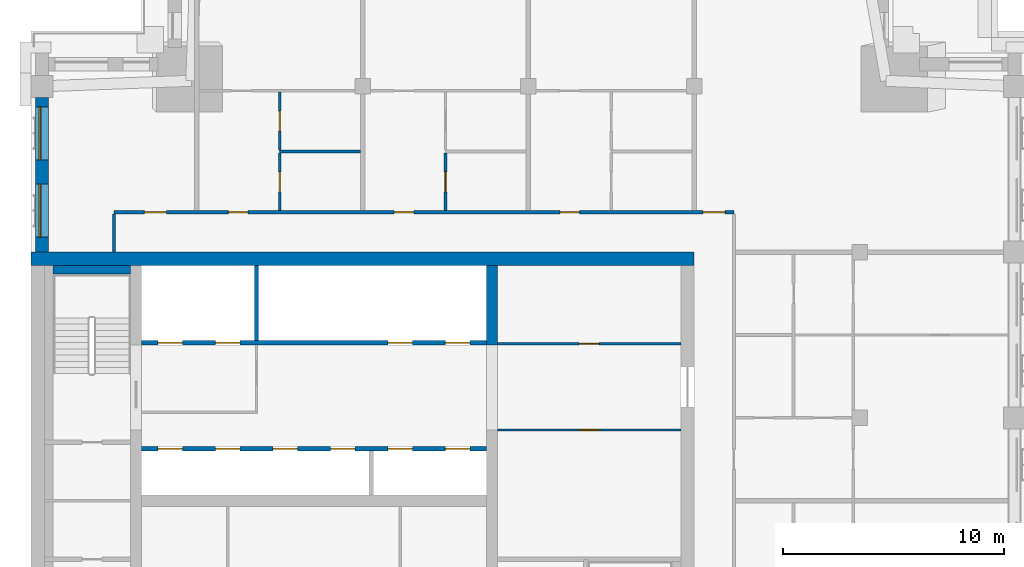
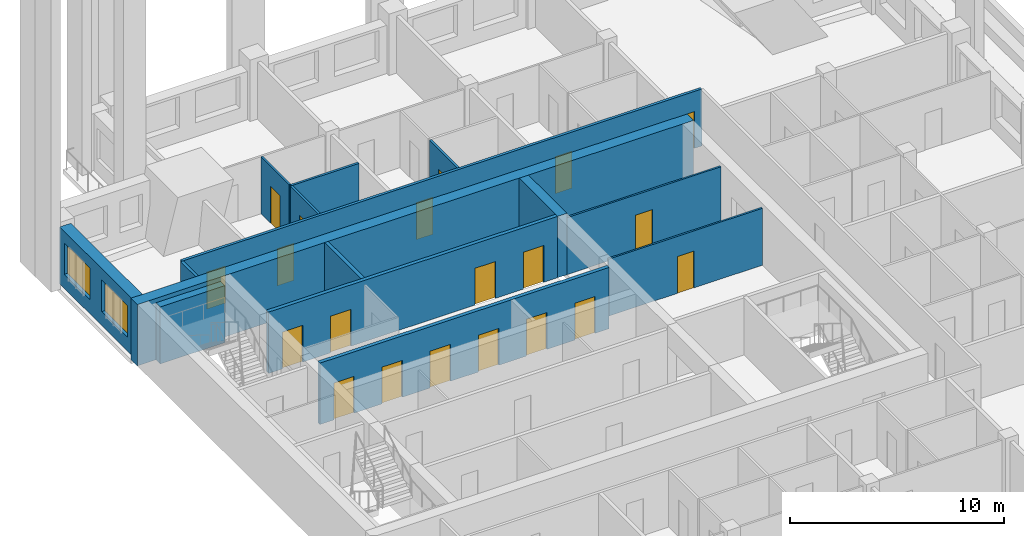
# One storey, part 6 of 12: 20 doors, 15 walls, 2 windows, 22 openings.
"""IFC4 building model written with IfcOpenShell, lengths in metres."""

from ifc_helpers import new_model, si_unit, direction, frame, frame_2d, origin, place, context, subcontext, project, spatial, rectangle, extrude, material, layer, layer_set, type_object, element, fill, save


model = new_model("IFC4")

# Units and contexts
model_context = context("Model", 3, precision=1e-05, world=origin(), true_north=direction((0.0, 1.0)))
body_context = subcontext(model_context, "Body", "Model", "MODEL_VIEW")
ifc_project = project(units=[si_unit("LENGTHUNIT", "METRE"), si_unit("AREAUNIT", "SQUARE_METRE"), si_unit("VOLUMEUNIT", "CUBIC_METRE"), si_unit("PLANEANGLEUNIT", "RADIAN"), si_unit("MASSUNIT", "GRAM", prefix="KILO")], contexts=[model_context])

# Site, building, storey
site_placement = place(None, origin())
site = spatial("IfcSite", under=ifc_project, at=site_placement, CompositionType="ELEMENT")
building_placement = place(site_placement, origin())
building = spatial("IfcBuilding", under=site, at=building_placement, Name="Tamorin Gate", CompositionType="ELEMENT")
storey_placement = place(building_placement, frame((0.0, 0.0, 266.199951171875)))
storey = spatial("IfcBuildingStorey", under=building, at=storey_placement, Name="L66", CompositionType="ELEMENT", Elevation=266.199951171875)

# Wall, openings, windows
ifc_material_1 = material(Name="Precast concrete C40/50", Category="concrete")
ifc_layer_1 = layer(ifc_material_1, 0.60009765625)
ifc_layer_set_1 = layer_set([ifc_layer_1], Name="Precast concrete C40/50")
wall_type_1 = type_object("IfcWallType", Name="Board-marked concrete facade panel 600", PredefinedType="SOLIDWALL", material=ifc_layer_set_1)
wall_1_placement = place(storey_placement, frame((30.5, 89.5, 0.0), z_axis=(0.0, 0.0, 1.0), x_axis=(0.0, -1.0, 0.0)))
wall_1 = element("IfcWall", 1, at=wall_1_placement, inside=storey, type_object=wall_type_1, Name="Facade panel", PredefinedType="SOLIDWALL", context=body_context, shape_type="SweptSolid", body=[
    extrude(rectangle(XDim=7.0, YDim=0.60009765625, at=frame_2d((3.5, 0.0))), origin(), (0.0, 0.0, 1.0), 3.25),
])
opening_1_placement = place(wall_1_placement, frame((3.925048828125, 0.0, 0.800048828125)))
opening_1 = element("IfcOpeningElement", 2, at=opening_1_placement, cuts=wall_1, Name="Opening WN1", PredefinedType="OPENING", context=body_context, shape_type="SweptSolid", body=[
    extrude(rectangle(XDim=2.39990234375, YDim=1.800048828125, at=frame_2d((1.199951171875, 0.89990234375))), frame((0.0, 0.31005859375, 0.0), z_axis=(0.0, -1.0, 0.0), x_axis=(1.0, 0.0, 0.0)), (0.0, 0.0, 1.0), 0.6201171875),
])
opening_2_placement = place(wall_1_placement, frame((0.425048828125, 0.0, 0.800048828125)))
opening_2 = element("IfcOpeningElement", 3, at=opening_2_placement, cuts=wall_1, Name="Opening WN1", PredefinedType="OPENING", context=body_context, shape_type="SweptSolid", body=[
    extrude(rectangle(XDim=2.39990234375, YDim=1.800048828125, at=frame_2d((1.199951171875, 0.89990234375))), frame((0.0, 0.31005859375, 0.0), z_axis=(0.0, -1.0, 0.0), x_axis=(1.0, 0.0, 0.0)), (0.0, 0.0, 1.0), 0.6201171875),
])
ifc_material_2 = material(Name="Clear glass in aluminium frame", Category="aluminium")
window_type = type_object("IfcWindowType", Name="Deep-set window 2400x1800", PartitioningType="SINGLE_PANEL", PredefinedType="WINDOW", material=ifc_material_2)
window_1_placement = place(opening_1_placement, origin())
window_1 = element("IfcWindow", 4, at=window_1_placement, inside=storey, type_object=window_type, Name="Deep-set window", OverallHeight=1.800048828125, OverallWidth=2.39990234375, PartitioningType="SINGLE_PANEL", PredefinedType="WINDOW", context=body_context, shape_type="SweptSolid", body=[
    extrude(rectangle(XDim=2.39990234375, YDim=1.800048828125, at=frame_2d((1.199951171875, 0.89990234375))), frame((0.0, -0.070068359375, 0.0), z_axis=(0.0, -1.0, 0.0), x_axis=(1.0, 0.0, 0.0)), (0.0, 0.0, 1.0), 0.06005859375),
])
fill(opening_1, window_1)
window_2_placement = place(opening_2_placement, origin())
window_2 = element("IfcWindow", 5, at=window_2_placement, inside=storey, type_object=window_type, Name="Deep-set window", OverallHeight=1.800048828125, OverallWidth=2.39990234375, PartitioningType="SINGLE_PANEL", PredefinedType="WINDOW", context=body_context, shape_type="SweptSolid", body=[
    extrude(rectangle(XDim=2.39990234375, YDim=1.800048828125, at=frame_2d((1.199951171875, 0.89990234375))), frame((0.0, -0.070068359375, 0.0), z_axis=(0.0, -1.0, 0.0), x_axis=(1.0, 0.0, 0.0)), (0.0, 0.0, 1.0), 0.06005859375),
])
fill(opening_2, window_2)

# Wall, openings, doors
ifc_material_3 = material(Name="Gypsum board partition")
ifc_layer_2 = layer(ifc_material_3, 0.14990234375)
ifc_layer_set_2 = layer_set([ifc_layer_2], Name="Corridor wall 150")
wall_type_2 = type_object("IfcWallType", Name="Corridor wall 150", PredefinedType="PARTITIONING", material=ifc_layer_set_2)
wall_2_placement = place(storey_placement, frame((33.75, 84.300048828125, 0.0), z_axis=(0.0, 0.0, 1.0), x_axis=(1.0, 0.0, 0.0)))
wall_2 = element("IfcWall", 6, at=wall_2_placement, inside=storey, type_object=wall_type_2, Name="Corridor wall 150", PredefinedType="PARTITIONING", context=body_context, shape_type="SweptSolid", body=[
    extrude(rectangle(XDim=28.050048828125, YDim=0.14990234375, at=frame_2d((14.02490234375, 0.0))), origin(), (0.0, 0.0, 1.0), 3.25),
])
opening_3_placement = place(wall_2_placement, frame((1.375, 0.0, 0.0)))
opening_3 = element("IfcOpeningElement", 7, at=opening_3_placement, cuts=wall_2, Name="Opening DTF6014", PredefinedType="OPENING", context=body_context, shape_type="SweptSolid", body=[
    extrude(rectangle(XDim=1.0, YDim=2.10009765625, at=frame_2d((0.5, 1.050048828125))), frame((0.0, 0.0849609375, 0.0), z_axis=(0.0, -1.0, 0.0), x_axis=(1.0, 0.0, 0.0)), (0.0, 0.0, 1.0), 0.169921875),
])
opening_4_placement = place(wall_2_placement, frame((5.175048828125, 0.0, 0.0)))
opening_4 = element("IfcOpeningElement", 8, at=opening_4_placement, cuts=wall_2, Name="Opening DTF6015", PredefinedType="OPENING", context=body_context, shape_type="SweptSolid", body=[
    extrude(rectangle(XDim=0.89990234375, YDim=2.10009765625, at=frame_2d((0.449951171875, 1.050048828125))), frame((0.0, 0.0849609375, 0.0), z_axis=(0.0, -1.0, 0.0), x_axis=(1.0, 0.0, 0.0)), (0.0, 0.0, 1.0), 0.169921875),
])
opening_5_placement = place(wall_2_placement, frame((12.675048828125, 0.0, 0.0)))
opening_5 = element("IfcOpeningElement", 9, at=opening_5_placement, cuts=wall_2, Name="Opening DTF6019", PredefinedType="OPENING", context=body_context, shape_type="SweptSolid", body=[
    extrude(rectangle(XDim=0.89990234375, YDim=2.10009765625, at=frame_2d((0.449951171875, 1.050048828125))), frame((0.0, 0.0849609375, 0.0), z_axis=(0.0, -1.0, 0.0), x_axis=(1.0, 0.0, 0.0)), (0.0, 0.0, 1.0), 0.169921875),
])
opening_6_placement = place(wall_2_placement, frame((20.175048828125, 0.0, 0.0)))
opening_6 = element("IfcOpeningElement", 10, at=opening_6_placement, cuts=wall_2, Name="Opening DTF6023", PredefinedType="OPENING", context=body_context, shape_type="SweptSolid", body=[
    extrude(rectangle(XDim=0.89990234375, YDim=2.10009765625, at=frame_2d((0.449951171875, 1.050048828125))), frame((0.0, 0.0849609375, 0.0), z_axis=(0.0, -1.0, 0.0), x_axis=(1.0, 0.0, 0.0)), (0.0, 0.0, 1.0), 0.169921875),
])
opening_7_placement = place(wall_2_placement, frame((26.64990234375, 0.0, 0.0)))
opening_7 = element("IfcOpeningElement", 11, at=opening_7_placement, cuts=wall_2, Name="Opening DTF6027", PredefinedType="OPENING", context=body_context, shape_type="SweptSolid", body=[
    extrude(rectangle(XDim=1.0, YDim=2.10009765625, at=frame_2d((0.5, 1.050048828125))), frame((0.0, 0.0849609375, 0.0), z_axis=(0.0, -1.0, 0.0), x_axis=(1.0, 0.0, 0.0)), (0.0, 0.0, 1.0), 0.169921875),
])
ifc_material_4 = material(Name="Timber door leaf", Category="wood")
door_type_1 = type_object("IfcDoorType", Name="Door 1000 x 2100 FD30S", OperationType="NOTDEFINED", PredefinedType="DOOR", material=ifc_material_4)
door_1_placement = place(opening_3_placement, origin())
door_1 = element("IfcDoor", 12, at=door_1_placement, inside=storey, type_object=door_type_1, Name="Door DTF6014", OperationType="SINGLE_SWING_LEFT", OverallHeight=2.10009765625, OverallWidth=1.0, PredefinedType="DOOR", context=body_context, shape_type="SweptSolid", body=[
    extrude(rectangle(XDim=1.0, YDim=2.10009765625, at=frame_2d((0.5, 1.050048828125))), frame((0.0, 0.02490234375, 0.0), z_axis=(0.0, -1.0, 0.0), x_axis=(1.0, 0.0, 0.0)), (0.0, 0.0, 1.0), 0.050048828125),
])
fill(opening_3, door_1)
door_2_placement = place(opening_7_placement, origin())
door_2 = element("IfcDoor", 13, at=door_2_placement, inside=storey, type_object=door_type_1, Name="Door DTF6027", OperationType="SINGLE_SWING_LEFT", OverallHeight=2.10009765625, OverallWidth=1.0, PredefinedType="DOOR", context=body_context, shape_type="SweptSolid", body=[
    extrude(rectangle(XDim=1.0, YDim=2.10009765625, at=frame_2d((0.5, 1.050048828125))), frame((0.0, 0.02490234375, 0.0), z_axis=(0.0, -1.0, 0.0), x_axis=(1.0, 0.0, 0.0)), (0.0, 0.0, 1.0), 0.050048828125),
])
fill(opening_7, door_2)
door_type_2 = type_object("IfcDoorType", Name="Door 900 x 2100 FD30S", OperationType="NOTDEFINED", PredefinedType="DOOR", material=ifc_material_4)
door_3_placement = place(opening_4_placement, origin())
door_3 = element("IfcDoor", 14, at=door_3_placement, inside=storey, type_object=door_type_2, Name="Door DTF6015", OperationType="SINGLE_SWING_LEFT", OverallHeight=2.10009765625, OverallWidth=0.89990234375, PredefinedType="DOOR", context=body_context, shape_type="SweptSolid", body=[
    extrude(rectangle(XDim=0.89990234375, YDim=2.10009765625, at=frame_2d((0.449951171875, 1.050048828125))), frame((0.0, 0.02490234375, 0.0), z_axis=(0.0, -1.0, 0.0), x_axis=(1.0, 0.0, 0.0)), (0.0, 0.0, 1.0), 0.050048828125),
])
fill(opening_4, door_3)
door_4_placement = place(opening_5_placement, origin())
door_4 = element("IfcDoor", 15, at=door_4_placement, inside=storey, type_object=door_type_2, Name="Door DTF6019", OperationType="SINGLE_SWING_LEFT", OverallHeight=2.10009765625, OverallWidth=0.89990234375, PredefinedType="DOOR", context=body_context, shape_type="SweptSolid", body=[
    extrude(rectangle(XDim=0.89990234375, YDim=2.10009765625, at=frame_2d((0.449951171875, 1.050048828125))), frame((0.0, 0.02490234375, 0.0), z_axis=(0.0, -1.0, 0.0), x_axis=(1.0, 0.0, 0.0)), (0.0, 0.0, 1.0), 0.050048828125),
])
fill(opening_5, door_4)
door_5_placement = place(opening_6_placement, origin())
door_5 = element("IfcDoor", 16, at=door_5_placement, inside=storey, type_object=door_type_2, Name="Door DTF6023", OperationType="SINGLE_SWING_LEFT", OverallHeight=2.10009765625, OverallWidth=0.89990234375, PredefinedType="DOOR", context=body_context, shape_type="SweptSolid", body=[
    extrude(rectangle(XDim=0.89990234375, YDim=2.10009765625, at=frame_2d((0.449951171875, 1.050048828125))), frame((0.0, 0.02490234375, 0.0), z_axis=(0.0, -1.0, 0.0), x_axis=(1.0, 0.0, 0.0)), (0.0, 0.0, 1.0), 0.050048828125),
])
fill(opening_6, door_5)

# Wall
wall_3_placement = place(storey_placement, frame((33.75, 82.5, 0.0), z_axis=(0.0, 0.0, 1.0), x_axis=(0.0, 1.0, 0.0)))
element("IfcWall", 17, at=wall_3_placement, inside=storey, type_object=wall_type_2, Name="Corridor wall 150", PredefinedType="PARTITIONING", context=body_context, shape_type="SweptSolid", body=[
    extrude(rectangle(XDim=1.72509765625, YDim=0.14990234375, at=frame_2d((0.862548828125, 0.0))), origin(), (0.0, 0.0, 1.0), 3.25),
])

# Wall, openings, doors
ifc_material_5 = material(Name="Concrete C32/40", Category="concrete")
ifc_layer_3 = layer(ifc_material_5, 0.199951171875)
ifc_layer_set_3 = layer_set([ifc_layer_3], Name="Lift lobby face wall 200 EI 120")
wall_type_3 = type_object("IfcWallType", Name="Lift lobby face wall 200 EI 120", PredefinedType="SOLIDWALL", material=ifc_layer_set_3)
wall_4_placement = place(storey_placement, frame((35.0, 73.60009765625, 0.0), z_axis=(0.0, 0.0, 1.0), x_axis=(1.0, 0.0, 0.0)))
wall_4 = element("IfcWall", 18, at=wall_4_placement, inside=storey, type_object=wall_type_3, Name="Lift lobby face wall", PredefinedType="SOLIDWALL", context=body_context, shape_type="SweptSolid", body=[
    extrude(rectangle(XDim=15.60009765625, YDim=0.199951171875, at=frame_2d((7.800048828125, 0.0))), origin(), (0.0, 0.0, 1.0), 3.5),
])
opening_8_placement = place(wall_4_placement, frame((0.75, 0.0, 0.0)))
opening_8 = element("IfcOpeningElement", 19, at=opening_8_placement, cuts=wall_4, Name="Opening LD11", PredefinedType="OPENING", context=body_context, shape_type="SweptSolid", body=[
    extrude(rectangle(XDim=1.10009765625, YDim=2.10009765625, at=frame_2d((0.550048828125, 1.050048828125))), frame((0.0, 0.10986328125, 0.0), z_axis=(0.0, -1.0, 0.0), x_axis=(1.0, 0.0, 0.0)), (0.0, 0.0, 1.0), 0.219970703125),
])
opening_9_placement = place(wall_4_placement, frame((3.35009765625, 0.0, 0.0)))
opening_9 = element("IfcOpeningElement", 20, at=opening_9_placement, cuts=wall_4, Name="Opening LD12", PredefinedType="OPENING", context=body_context, shape_type="SweptSolid", body=[
    extrude(rectangle(XDim=1.10009765625, YDim=2.10009765625, at=frame_2d((0.550048828125, 1.050048828125))), frame((0.0, 0.10986328125, 0.0), z_axis=(0.0, -1.0, 0.0), x_axis=(1.0, 0.0, 0.0)), (0.0, 0.0, 1.0), 0.219970703125),
])
opening_10_placement = place(wall_4_placement, frame((5.949951171875, 0.0, 0.0)))
opening_10 = element("IfcOpeningElement", 21, at=opening_10_placement, cuts=wall_4, Name="Opening LD13", PredefinedType="OPENING", context=body_context, shape_type="SweptSolid", body=[
    extrude(rectangle(XDim=1.10009765625, YDim=2.10009765625, at=frame_2d((0.550048828125, 1.050048828125))), frame((0.0, 0.10986328125, 0.0), z_axis=(0.0, -1.0, 0.0), x_axis=(1.0, 0.0, 0.0)), (0.0, 0.0, 1.0), 0.219970703125),
])
opening_11_placement = place(wall_4_placement, frame((8.550048828125, 0.0, 0.0)))
opening_11 = element("IfcOpeningElement", 22, at=opening_11_placement, cuts=wall_4, Name="Opening LD14", PredefinedType="OPENING", context=body_context, shape_type="SweptSolid", body=[
    extrude(rectangle(XDim=1.10009765625, YDim=2.10009765625, at=frame_2d((0.550048828125, 1.050048828125))), frame((0.0, 0.10986328125, 0.0), z_axis=(0.0, -1.0, 0.0), x_axis=(1.0, 0.0, 0.0)), (0.0, 0.0, 1.0), 0.219970703125),
])
opening_12_placement = place(wall_4_placement, frame((11.14990234375, 0.0, 0.0)))
opening_12 = element("IfcOpeningElement", 23, at=opening_12_placement, cuts=wall_4, Name="Opening LD15", PredefinedType="OPENING", context=body_context, shape_type="SweptSolid", body=[
    extrude(rectangle(XDim=1.10009765625, YDim=2.10009765625, at=frame_2d((0.550048828125, 1.050048828125))), frame((0.0, 0.10986328125, 0.0), z_axis=(0.0, -1.0, 0.0), x_axis=(1.0, 0.0, 0.0)), (0.0, 0.0, 1.0), 0.219970703125),
])
opening_13_placement = place(wall_4_placement, frame((13.75, 0.0, 0.0)))
opening_13 = element("IfcOpeningElement", 24, at=opening_13_placement, cuts=wall_4, Name="Opening LD16", PredefinedType="OPENING", context=body_context, shape_type="SweptSolid", body=[
    extrude(rectangle(XDim=1.10009765625, YDim=2.10009765625, at=frame_2d((0.550048828125, 1.050048828125))), frame((0.0, 0.10986328125, 0.0), z_axis=(0.0, -1.0, 0.0), x_axis=(1.0, 0.0, 0.0)), (0.0, 0.0, 1.0), 0.219970703125),
])
ifc_material_6 = material(Name="Stainless steel sliding door", Category="steel")
door_type_3 = type_object("IfcDoorType", Name="Lift landing door 1100 x 2100 E 90", OperationType="DOUBLE_DOOR_SLIDING", PredefinedType="DOOR", material=ifc_material_6)
door_6_placement = place(opening_8_placement, origin())
door_6 = element("IfcDoor", 25, at=door_6_placement, inside=storey, type_object=door_type_3, Name="HR1 landing door", OperationType="DOUBLE_DOOR_SLIDING", OverallHeight=2.10009765625, OverallWidth=1.10009765625, PredefinedType="DOOR", context=body_context, shape_type="SweptSolid", body=[
    extrude(rectangle(XDim=1.10009765625, YDim=2.10009765625, at=frame_2d((0.550048828125, 1.050048828125))), frame((0.0, 0.02490234375, 0.0), z_axis=(0.0, -1.0, 0.0), x_axis=(1.0, 0.0, 0.0)), (0.0, 0.0, 1.0), 0.050048828125),
])
fill(opening_8, door_6)
door_7_placement = place(opening_9_placement, origin())
door_7 = element("IfcDoor", 26, at=door_7_placement, inside=storey, type_object=door_type_3, Name="HR2 landing door", OperationType="DOUBLE_DOOR_SLIDING", OverallHeight=2.10009765625, OverallWidth=1.10009765625, PredefinedType="DOOR", context=body_context, shape_type="SweptSolid", body=[
    extrude(rectangle(XDim=1.10009765625, YDim=2.10009765625, at=frame_2d((0.550048828125, 1.050048828125))), frame((0.0, 0.02490234375, 0.0), z_axis=(0.0, -1.0, 0.0), x_axis=(1.0, 0.0, 0.0)), (0.0, 0.0, 1.0), 0.050048828125),
])
fill(opening_9, door_7)
door_8_placement = place(opening_10_placement, origin())
door_8 = element("IfcDoor", 27, at=door_8_placement, inside=storey, type_object=door_type_3, Name="HR3 landing door", OperationType="DOUBLE_DOOR_SLIDING", OverallHeight=2.10009765625, OverallWidth=1.10009765625, PredefinedType="DOOR", context=body_context, shape_type="SweptSolid", body=[
    extrude(rectangle(XDim=1.10009765625, YDim=2.10009765625, at=frame_2d((0.550048828125, 1.050048828125))), frame((0.0, 0.02490234375, 0.0), z_axis=(0.0, -1.0, 0.0), x_axis=(1.0, 0.0, 0.0)), (0.0, 0.0, 1.0), 0.050048828125),
])
fill(opening_10, door_8)
door_9_placement = place(opening_11_placement, origin())
door_9 = element("IfcDoor", 28, at=door_9_placement, inside=storey, type_object=door_type_3, Name="HR4 landing door", OperationType="DOUBLE_DOOR_SLIDING", OverallHeight=2.10009765625, OverallWidth=1.10009765625, PredefinedType="DOOR", context=body_context, shape_type="SweptSolid", body=[
    extrude(rectangle(XDim=1.10009765625, YDim=2.10009765625, at=frame_2d((0.550048828125, 1.050048828125))), frame((0.0, 0.02490234375, 0.0), z_axis=(0.0, -1.0, 0.0), x_axis=(1.0, 0.0, 0.0)), (0.0, 0.0, 1.0), 0.050048828125),
])
fill(opening_11, door_9)
door_10_placement = place(opening_12_placement, origin())
door_10 = element("IfcDoor", 29, at=door_10_placement, inside=storey, type_object=door_type_3, Name="HR5 landing door", OperationType="DOUBLE_DOOR_SLIDING", OverallHeight=2.10009765625, OverallWidth=1.10009765625, PredefinedType="DOOR", context=body_context, shape_type="SweptSolid", body=[
    extrude(rectangle(XDim=1.10009765625, YDim=2.10009765625, at=frame_2d((0.550048828125, 1.050048828125))), frame((0.0, 0.02490234375, 0.0), z_axis=(0.0, -1.0, 0.0), x_axis=(1.0, 0.0, 0.0)), (0.0, 0.0, 1.0), 0.050048828125),
])
fill(opening_12, door_10)
door_11_placement = place(opening_13_placement, origin())
door_11 = element("IfcDoor", 30, at=door_11_placement, inside=storey, type_object=door_type_3, Name="HR6 landing door", OperationType="DOUBLE_DOOR_SLIDING", OverallHeight=2.10009765625, OverallWidth=1.10009765625, PredefinedType="DOOR", context=body_context, shape_type="SweptSolid", body=[
    extrude(rectangle(XDim=1.10009765625, YDim=2.10009765625, at=frame_2d((0.550048828125, 1.050048828125))), frame((0.0, 0.02490234375, 0.0), z_axis=(0.0, -1.0, 0.0), x_axis=(1.0, 0.0, 0.0)), (0.0, 0.0, 1.0), 0.050048828125),
])
fill(opening_13, door_11)

wall_5_placement = place(storey_placement, frame((35.0, 78.39990234375, 0.0), z_axis=(0.0, 0.0, 1.0), x_axis=(1.0, 0.0, 0.0)))
wall_5 = element("IfcWall", 31, at=wall_5_placement, inside=storey, type_object=wall_type_3, Name="Lift lobby face wall", PredefinedType="SOLIDWALL", context=body_context, shape_type="SweptSolid", body=[
    extrude(rectangle(XDim=15.60009765625, YDim=0.199951171875, at=frame_2d((7.800048828125, 0.0))), origin(), (0.0, 0.0, 1.0), 3.5),
])
opening_14_placement = place(wall_5_placement, frame((0.75, 0.0, 0.0)))
opening_14 = element("IfcOpeningElement", 32, at=opening_14_placement, cuts=wall_5, Name="Opening LD17", PredefinedType="OPENING", context=body_context, shape_type="SweptSolid", body=[
    extrude(rectangle(XDim=1.10009765625, YDim=2.10009765625, at=frame_2d((0.550048828125, 1.050048828125))), frame((0.0, 0.10986328125, 0.0), z_axis=(0.0, -1.0, 0.0), x_axis=(1.0, 0.0, 0.0)), (0.0, 0.0, 1.0), 0.219970703125),
])
opening_15_placement = place(wall_5_placement, frame((3.35009765625, 0.0, 0.0)))
opening_15 = element("IfcOpeningElement", 33, at=opening_15_placement, cuts=wall_5, Name="Opening LD18", PredefinedType="OPENING", context=body_context, shape_type="SweptSolid", body=[
    extrude(rectangle(XDim=1.10009765625, YDim=2.10009765625, at=frame_2d((0.550048828125, 1.050048828125))), frame((0.0, 0.10986328125, 0.0), z_axis=(0.0, -1.0, 0.0), x_axis=(1.0, 0.0, 0.0)), (0.0, 0.0, 1.0), 0.219970703125),
])
opening_16_placement = place(wall_5_placement, frame((11.14990234375, 0.0, 0.0)))
opening_16 = element("IfcOpeningElement", 34, at=opening_16_placement, cuts=wall_5, Name="Opening LD21", PredefinedType="OPENING", context=body_context, shape_type="SweptSolid", body=[
    extrude(rectangle(XDim=1.10009765625, YDim=2.10009765625, at=frame_2d((0.550048828125, 1.050048828125))), frame((0.0, 0.10986328125, 0.0), z_axis=(0.0, -1.0, 0.0), x_axis=(1.0, 0.0, 0.0)), (0.0, 0.0, 1.0), 0.219970703125),
])
opening_17_placement = place(wall_5_placement, frame((13.75, 0.0, 0.0)))
opening_17 = element("IfcOpeningElement", 35, at=opening_17_placement, cuts=wall_5, Name="Opening LD22", PredefinedType="OPENING", context=body_context, shape_type="SweptSolid", body=[
    extrude(rectangle(XDim=1.10009765625, YDim=2.10009765625, at=frame_2d((0.550048828125, 1.050048828125))), frame((0.0, 0.10986328125, 0.0), z_axis=(0.0, -1.0, 0.0), x_axis=(1.0, 0.0, 0.0)), (0.0, 0.0, 1.0), 0.219970703125),
])
door_12_placement = place(opening_14_placement, origin())
door_12 = element("IfcDoor", 36, at=door_12_placement, inside=storey, type_object=door_type_3, Name="FF1 landing door", OperationType="DOUBLE_DOOR_SLIDING", OverallHeight=2.10009765625, OverallWidth=1.10009765625, PredefinedType="DOOR", context=body_context, shape_type="SweptSolid", body=[
    extrude(rectangle(XDim=1.10009765625, YDim=2.10009765625, at=frame_2d((0.550048828125, 1.050048828125))), frame((0.0, 0.02490234375, 0.0), z_axis=(0.0, -1.0, 0.0), x_axis=(1.0, 0.0, 0.0)), (0.0, 0.0, 1.0), 0.050048828125),
])
fill(opening_14, door_12)
door_13_placement = place(opening_15_placement, origin())
door_13 = element("IfcDoor", 37, at=door_13_placement, inside=storey, type_object=door_type_3, Name="FF2 landing door", OperationType="DOUBLE_DOOR_SLIDING", OverallHeight=2.10009765625, OverallWidth=1.10009765625, PredefinedType="DOOR", context=body_context, shape_type="SweptSolid", body=[
    extrude(rectangle(XDim=1.10009765625, YDim=2.10009765625, at=frame_2d((0.550048828125, 1.050048828125))), frame((0.0, 0.02490234375, 0.0), z_axis=(0.0, -1.0, 0.0), x_axis=(1.0, 0.0, 0.0)), (0.0, 0.0, 1.0), 0.050048828125),
])
fill(opening_15, door_13)
door_14_placement = place(opening_16_placement, origin())
door_14 = element("IfcDoor", 38, at=door_14_placement, inside=storey, type_object=door_type_3, Name="SV1 landing door", OperationType="DOUBLE_DOOR_SLIDING", OverallHeight=2.10009765625, OverallWidth=1.10009765625, PredefinedType="DOOR", context=body_context, shape_type="SweptSolid", body=[
    extrude(rectangle(XDim=1.10009765625, YDim=2.10009765625, at=frame_2d((0.550048828125, 1.050048828125))), frame((0.0, 0.02490234375, 0.0), z_axis=(0.0, -1.0, 0.0), x_axis=(1.0, 0.0, 0.0)), (0.0, 0.0, 1.0), 0.050048828125),
])
fill(opening_16, door_14)
door_15_placement = place(opening_17_placement, origin())
door_15 = element("IfcDoor", 39, at=door_15_placement, inside=storey, type_object=door_type_3, Name="SV2 landing door", OperationType="DOUBLE_DOOR_SLIDING", OverallHeight=2.10009765625, OverallWidth=1.10009765625, PredefinedType="DOOR", context=body_context, shape_type="SweptSolid", body=[
    extrude(rectangle(XDim=1.10009765625, YDim=2.10009765625, at=frame_2d((0.550048828125, 1.050048828125))), frame((0.0, 0.02490234375, 0.0), z_axis=(0.0, -1.0, 0.0), x_axis=(1.0, 0.0, 0.0)), (0.0, 0.0, 1.0), 0.050048828125),
])
fill(opening_17, door_15)

# Walls
ifc_layer_4 = layer(ifc_material_5, 0.199951171875)
ifc_layer_set_4 = layer_set([ifc_layer_4], Name="Lift shaft wall 200 EI 120")
wall_type_4 = type_object("IfcWallType", Name="Lift shaft wall 200 EI 120", PredefinedType="SOLIDWALL", material=ifc_layer_set_4)
wall_6_placement = place(storey_placement, frame((40.199951171875, 78.5, 0.0), z_axis=(0.0, 0.0, 1.0), x_axis=(0.0, 1.0, 0.0)))
element("IfcWall", 40, at=wall_6_placement, inside=storey, type_object=wall_type_4, Name="Lift shaft wall", PredefinedType="SOLIDWALL", context=body_context, shape_type="SweptSolid", body=[
    extrude(rectangle(XDim=3.39990234375, YDim=0.199951171875, at=frame_2d((1.699951171875, 0.0))), origin(), (0.0, 0.0, 1.0), 3.5),
])
ifc_material_7 = material(Name="Concrete C50/60", Category="concrete")
ifc_layer_5 = layer(ifc_material_7, 0.5)
ifc_layer_set_5 = layer_set([ifc_layer_5], Name="RC core internal wall 500 C50/60")
wall_type_5 = type_object("IfcWallType", Name="RC core internal wall 500 C50/60", PredefinedType="SHEAR", material=ifc_layer_set_5)
wall_7_placement = place(storey_placement, frame((50.85009765625, 78.300048828125, 0.0), z_axis=(0.0, 0.0, 1.0), x_axis=(0.0, 1.0, 0.0)))
element("IfcWall", 41, at=wall_7_placement, inside=storey, type_object=wall_type_5, Name="Core cross wall L66", PredefinedType="SHEAR", context=body_context, shape_type="SweptSolid", body=[
    extrude(rectangle(XDim=3.599853515625, YDim=0.5, at=frame_2d((1.7998046875, 0.0))), origin(), (0.0, 0.0, 1.0), 3.5),
])
ifc_layer_6 = layer(ifc_material_7, 0.60009765625)
ifc_layer_set_6 = layer_set([ifc_layer_6], Name="RC core wall 600 C50/60")
wall_type_6 = type_object("IfcWallType", Name="RC core wall 600 C50/60", PredefinedType="SHEAR", material=ifc_layer_set_6)
wall_8_placement = place(storey_placement, frame((30.0, 82.199951171875, 0.0), z_axis=(0.0, 0.0, 1.0), x_axis=(1.0, 0.0, 0.0)))
element("IfcWall", 42, at=wall_8_placement, inside=storey, type_object=wall_type_6, Name="Core wall L66", PredefinedType="SHEAR", context=body_context, shape_type="SweptSolid", body=[
    extrude(rectangle(XDim=30.0, YDim=0.60009765625, at=frame_2d((15.0, 0.0))), origin(), (0.0, 0.0, 1.0), 3.5),
])

# Wall, opening, door
ifc_layer_7 = layer(ifc_material_3, 0.10009765625)
ifc_layer_set_7 = layer_set([ifc_layer_7], Name="Room partition 100")
wall_type_7 = type_object("IfcWallType", Name="Room partition 100", PredefinedType="PARTITIONING", material=ifc_layer_set_7)
wall_9_placement = place(storey_placement, frame((41.25, 87.112548828125, 0.0), z_axis=(0.0, 0.0, 1.0), x_axis=(0.0, 1.0, 0.0)))
wall_9 = element("IfcWall", 43, at=wall_9_placement, inside=storey, type_object=wall_type_7, Name="Room partition 100", PredefinedType="PARTITIONING", context=body_context, shape_type="SweptSolid", body=[
    extrude(rectangle(XDim=2.637451171875, YDim=0.10009765625, at=frame_2d((1.31884765625, 0.0))), origin(), (0.0, 0.0, 1.0), 3.25),
])
opening_18_placement = place(wall_9_placement, frame((0.862548828125, 0.0, 0.0)))
opening_18 = element("IfcOpeningElement", 44, at=opening_18_placement, cuts=wall_9, Name="Opening DTF6017", PredefinedType="OPENING", context=body_context, shape_type="SweptSolid", body=[
    extrude(rectangle(XDim=0.89990234375, YDim=2.10009765625, at=frame_2d((0.449951171875, 1.050048828125))), frame((0.0, 0.06005859375, 0.0), z_axis=(0.0, -1.0, 0.0), x_axis=(1.0, 0.0, 0.0)), (0.0, 0.0, 1.0), 0.1201171875),
])
door_type_4 = type_object("IfcDoorType", Name="Door 900 x 2100", OperationType="NOTDEFINED", PredefinedType="DOOR", material=ifc_material_4)
door_16_placement = place(opening_18_placement, origin())
door_16 = element("IfcDoor", 45, at=door_16_placement, inside=storey, type_object=door_type_4, Name="Door DTF6017", OperationType="SINGLE_SWING_RIGHT", OverallHeight=2.10009765625, OverallWidth=0.89990234375, PredefinedType="DOOR", context=body_context, shape_type="SweptSolid", body=[
    extrude(rectangle(XDim=0.89990234375, YDim=2.10009765625, at=frame_2d((0.449951171875, 1.050048828125))), frame((0.0, 0.02490234375, 0.0), z_axis=(0.0, -1.0, 0.0), x_axis=(1.0, 0.0, 0.0)), (0.0, 0.0, 1.0), 0.050048828125),
])
fill(opening_18, door_16)

ifc_layer_8 = layer(ifc_material_3, 0.10009765625)
ifc_layer_set_8 = layer_set([ifc_layer_8], Name="Service room partition 100 EI 60")
wall_type_8 = type_object("IfcWallType", Name="Service room partition 100 EI 60", PredefinedType="PARTITIONING", material=ifc_layer_set_8)
wall_10_placement = place(storey_placement, frame((51.10009765625, 74.449951171875, 0.0), z_axis=(0.0, 0.0, 1.0), x_axis=(1.0, 0.0, 0.0)))
wall_10 = element("IfcWall", 46, at=wall_10_placement, inside=storey, type_object=wall_type_8, Name="Service room wall", PredefinedType="PARTITIONING", context=body_context, shape_type="SweptSolid", body=[
    extrude(rectangle(XDim=8.2998046875, YDim=0.10009765625, at=frame_2d((4.14990234375, 0.0))), origin(), (0.0, 0.0, 1.0), 3.25),
])
opening_19_placement = place(wall_10_placement, frame((3.699951171875, 0.0, 0.0)))
opening_19 = element("IfcOpeningElement", 47, at=opening_19_placement, cuts=wall_10, Name="Opening DR1", PredefinedType="OPENING", context=body_context, shape_type="SweptSolid", body=[
    extrude(rectangle(XDim=0.89990234375, YDim=2.10009765625, at=frame_2d((0.449951171875, 1.050048828125))), frame((0.0, 0.06005859375, 0.0), z_axis=(0.0, -1.0, 0.0), x_axis=(1.0, 0.0, 0.0)), (0.0, 0.0, 1.0), 0.1201171875),
])
ifc_material_8 = material(Name="Steel fire door", Category="steel")
door_type_5 = type_object("IfcDoorType", Name="Riser access door 900 x 2100 EI 120", OperationType="SINGLE_SWING_LEFT", PredefinedType="DOOR", material=ifc_material_8)
door_17_placement = place(opening_19_placement, origin())
door_17 = element("IfcDoor", 48, at=door_17_placement, inside=storey, type_object=door_type_5, Name="Duct riser door", OperationType="SINGLE_SWING_RIGHT", OverallHeight=2.10009765625, OverallWidth=0.89990234375, PredefinedType="DOOR", context=body_context, shape_type="SweptSolid", body=[
    extrude(rectangle(XDim=0.89990234375, YDim=2.10009765625, at=frame_2d((0.449951171875, 1.050048828125))), frame((0.0, 0.02490234375, 0.0), z_axis=(0.0, -1.0, 0.0), x_axis=(1.0, 0.0, 0.0)), (0.0, 0.0, 1.0), 0.050048828125),
])
fill(opening_19, door_17)

wall_11_placement = place(storey_placement, frame((51.10009765625, 78.35009765625, 0.0), z_axis=(0.0, 0.0, 1.0), x_axis=(1.0, 0.0, 0.0)))
wall_11 = element("IfcWall", 49, at=wall_11_placement, inside=storey, type_object=wall_type_8, Name="Service room wall", PredefinedType="PARTITIONING", context=body_context, shape_type="SweptSolid", body=[
    extrude(rectangle(XDim=8.2998046875, YDim=0.10009765625, at=frame_2d((4.14990234375, 0.0))), origin(), (0.0, 0.0, 1.0), 3.25),
])
opening_20_placement = place(wall_11_placement, frame((3.699951171875, 0.0, 0.0)))
opening_20 = element("IfcOpeningElement", 50, at=opening_20_placement, cuts=wall_11, Name="Opening DK1", PredefinedType="OPENING", context=body_context, shape_type="SweptSolid", body=[
    extrude(rectangle(XDim=0.89990234375, YDim=2.10009765625, at=frame_2d((0.449951171875, 1.050048828125))), frame((0.0, 0.06005859375, 0.0), z_axis=(0.0, -1.0, 0.0), x_axis=(1.0, 0.0, 0.0)), (0.0, 0.0, 1.0), 0.1201171875),
])
ifc_material_9 = material(Name="Timber fire door", Category="wood")
door_type_6 = type_object("IfcDoorType", Name="Service room door 900 x 2100 EI 60", OperationType="SINGLE_SWING_LEFT", PredefinedType="DOOR", material=ifc_material_9)
door_18_placement = place(opening_20_placement, origin())
door_18 = element("IfcDoor", 51, at=door_18_placement, inside=storey, type_object=door_type_6, Name="Door Pantry", OperationType="SINGLE_SWING_RIGHT", OverallHeight=2.10009765625, OverallWidth=0.89990234375, PredefinedType="DOOR", context=body_context, shape_type="SweptSolid", body=[
    extrude(rectangle(XDim=0.89990234375, YDim=2.10009765625, at=frame_2d((0.449951171875, 1.050048828125))), frame((0.0, 0.02490234375, 0.0), z_axis=(0.0, -1.0, 0.0), x_axis=(1.0, 0.0, 0.0)), (0.0, 0.0, 1.0), 0.050048828125),
])
fill(opening_20, door_18)

# Walls
ifc_layer_9 = layer(ifc_material_7, 0.39990234375)
ifc_layer_set_9 = layer_set([ifc_layer_9], Name="Stair lining wall 400 EI 120 C50/60")
wall_type_9 = type_object("IfcWallType", Name="Stair lining wall 400 EI 120 C50/60", PredefinedType="SOLIDWALL", material=ifc_layer_set_9)
wall_12_placement = place(storey_placement, frame((31.0, 81.699951171875, 0.0), z_axis=(0.0, 0.0, 1.0), x_axis=(1.0, 0.0, 0.0)))
element("IfcWall", 52, at=wall_12_placement, inside=storey, type_object=wall_type_9, Name="Stair lining wall", PredefinedType="SOLIDWALL", context=body_context, shape_type="SweptSolid", body=[
    extrude(rectangle(XDim=3.5, YDim=0.39990234375, at=frame_2d((1.75, 0.0))), origin(), (0.0, 0.0, 1.0), 3.25),
])
ifc_layer_10 = layer(ifc_material_3, 0.125)
ifc_layer_set_10 = layer_set([ifc_layer_10], Name="Wet wall 125")
wall_type_10 = type_object("IfcWallType", Name="Wet wall 125", PredefinedType="PARTITIONING", material=ifc_layer_set_10)
wall_13_placement = place(storey_placement, frame((41.25, 87.050048828125, 0.0), z_axis=(0.0, 0.0, 1.0), x_axis=(1.0, 0.0, 0.0)))
element("IfcWall", 53, at=wall_13_placement, inside=storey, type_object=wall_type_10, Name="Wet wall 125", PredefinedType="PARTITIONING", context=body_context, shape_type="SweptSolid", body=[
    extrude(rectangle(XDim=3.64990234375, YDim=0.125, at=frame_2d((1.824951171875, 0.0))), origin(), (0.0, 0.0, 1.0), 3.25),
])

# Wall, opening, door
wall_14_placement = place(storey_placement, frame((41.25, 84.375, 0.0), z_axis=(0.0, 0.0, 1.0), x_axis=(0.0, 1.0, 0.0)))
wall_14 = element("IfcWall", 54, at=wall_14_placement, inside=storey, type_object=wall_type_10, Name="Wet wall 125", PredefinedType="PARTITIONING", context=body_context, shape_type="SweptSolid", body=[
    extrude(rectangle(XDim=2.612548828125, YDim=0.125, at=frame_2d((1.30615234375, 0.0))), origin(), (0.0, 0.0, 1.0), 3.25),
])
opening_21_placement = place(wall_14_placement, frame((0.85009765625, 0.0, 0.0)))
opening_21 = element("IfcOpeningElement", 55, at=opening_21_placement, cuts=wall_14, Name="Opening DTF6018", PredefinedType="OPENING", context=body_context, shape_type="SweptSolid", body=[
    extrude(rectangle(XDim=0.89990234375, YDim=2.10009765625, at=frame_2d((0.449951171875, 1.050048828125))), frame((0.0, 0.072509765625, 0.0), z_axis=(0.0, -1.0, 0.0), x_axis=(1.0, 0.0, 0.0)), (0.0, 0.0, 1.0), 0.14501953125),
])
door_19_placement = place(opening_21_placement, origin())
door_19 = element("IfcDoor", 56, at=door_19_placement, inside=storey, type_object=door_type_4, Name="Door DTF6018", OperationType="SINGLE_SWING_RIGHT", OverallHeight=2.10009765625, OverallWidth=0.89990234375, PredefinedType="DOOR", context=body_context, shape_type="SweptSolid", body=[
    extrude(rectangle(XDim=0.89990234375, YDim=2.10009765625, at=frame_2d((0.449951171875, 1.050048828125))), frame((0.0, 0.02490234375, 0.0), z_axis=(0.0, -1.0, 0.0), x_axis=(1.0, 0.0, 0.0)), (0.0, 0.0, 1.0), 0.050048828125),
])
fill(opening_21, door_19)

wall_15_placement = place(storey_placement, frame((48.75, 84.375, 0.0), z_axis=(0.0, 0.0, 1.0), x_axis=(0.0, 1.0, 0.0)))
wall_15 = element("IfcWall", 57, at=wall_15_placement, inside=storey, type_object=wall_type_10, Name="Wet wall 125", PredefinedType="PARTITIONING", context=body_context, shape_type="SweptSolid", body=[
    extrude(rectangle(XDim=2.612548828125, YDim=0.125, at=frame_2d((1.30615234375, 0.0))), origin(), (0.0, 0.0, 1.0), 3.25),
])
opening_22_placement = place(wall_15_placement, frame((0.85009765625, 0.0, 0.0)))
opening_22 = element("IfcOpeningElement", 58, at=opening_22_placement, cuts=wall_15, Name="Opening DTF6022", PredefinedType="OPENING", context=body_context, shape_type="SweptSolid", body=[
    extrude(rectangle(XDim=0.89990234375, YDim=2.10009765625, at=frame_2d((0.449951171875, 1.050048828125))), frame((0.0, 0.072509765625, 0.0), z_axis=(0.0, -1.0, 0.0), x_axis=(1.0, 0.0, 0.0)), (0.0, 0.0, 1.0), 0.14501953125),
])
door_20_placement = place(opening_22_placement, origin())
door_20 = element("IfcDoor", 59, at=door_20_placement, inside=storey, type_object=door_type_4, Name="Door DTF6022", OperationType="SINGLE_SWING_RIGHT", OverallHeight=2.10009765625, OverallWidth=0.89990234375, PredefinedType="DOOR", context=body_context, shape_type="SweptSolid", body=[
    extrude(rectangle(XDim=0.89990234375, YDim=2.10009765625, at=frame_2d((0.449951171875, 1.050048828125))), frame((0.0, 0.02490234375, 0.0), z_axis=(0.0, -1.0, 0.0), x_axis=(1.0, 0.0, 0.0)), (0.0, 0.0, 1.0), 0.050048828125),
])
fill(opening_22, door_20)

save(model, "model.ifc")
